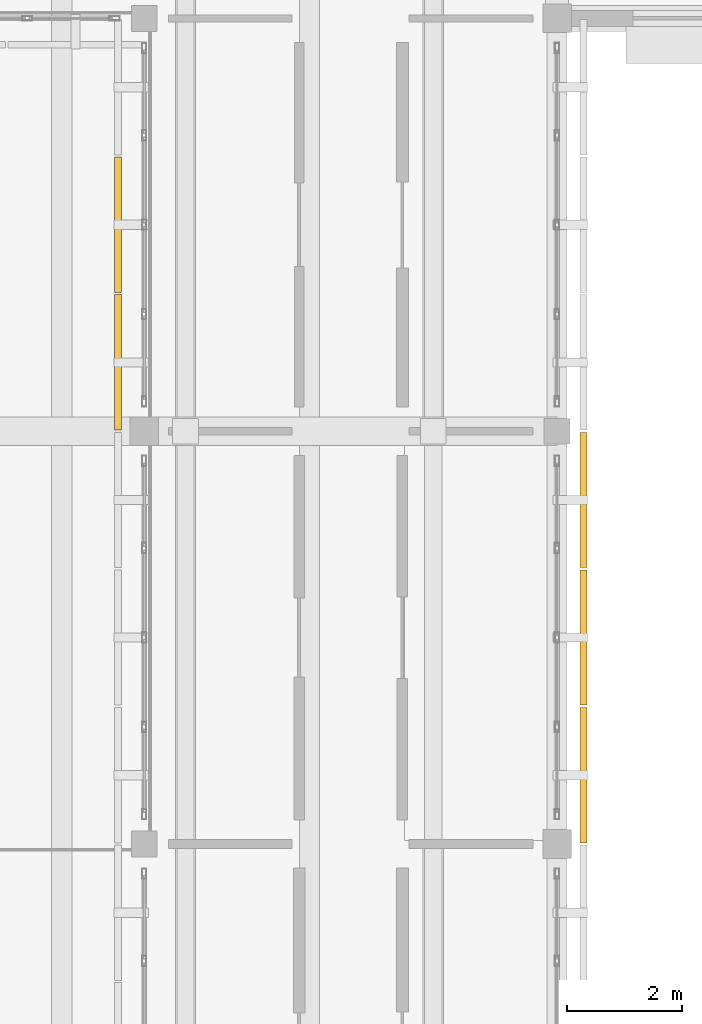
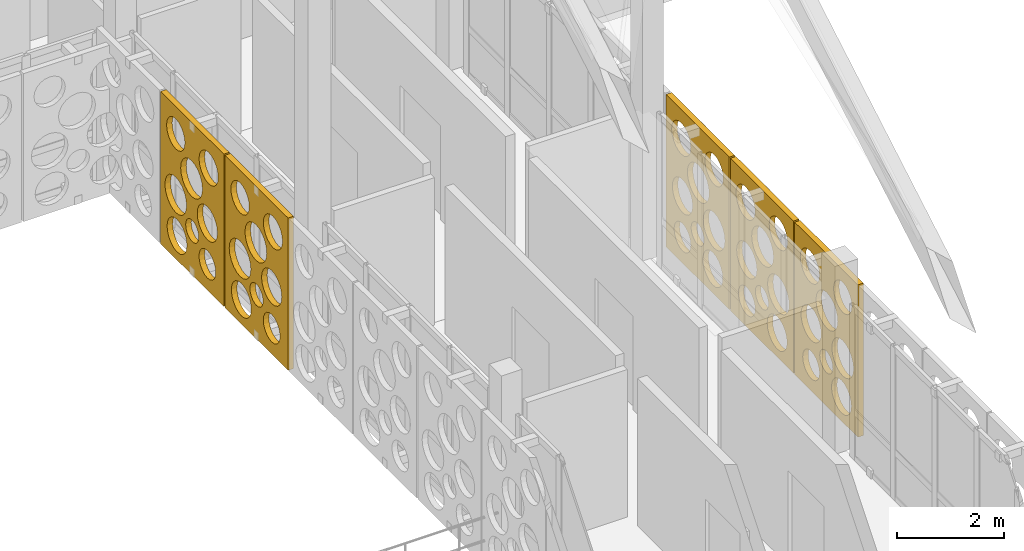
# One storey, part 162 of 171: 5 coverings.
"""IFC4 building model written with IfcOpenShell, lengths in metres."""

from ifc_helpers import new_model, si_unit, direction, frame, origin, place, context, subcontext, project, spatial, polyline, outline, extrude, material, layer, layer_set, type_object, element, save


model = new_model("IFC4")

# Units and contexts
model_context = context("Model", 3, precision=1e-05, world=origin(), true_north=direction((0.0, 1.0)))
body_context = subcontext(model_context, "Body", "Model", "MODEL_VIEW")
ifc_project = project(units=[si_unit("LENGTHUNIT", "METRE"), si_unit("AREAUNIT", "SQUARE_METRE"), si_unit("VOLUMEUNIT", "CUBIC_METRE"), si_unit("PLANEANGLEUNIT", "RADIAN"), si_unit("MASSUNIT", "GRAM", prefix="KILO")], contexts=[model_context])

# Site, building, storey
site_placement = place(None, origin())
site = spatial("IfcSite", under=ifc_project, at=site_placement, CompositionType="ELEMENT")
building_placement = place(site_placement, origin())
building = spatial("IfcBuilding", under=site, at=building_placement, Name="Aldebral Square Health Centre", CompositionType="ELEMENT")
storey_placement = place(building_placement, frame((0.0, 0.0, 4.5)))
storey = spatial("IfcBuildingStorey", under=building, at=storey_placement, Name="L01", CompositionType="ELEMENT", Elevation=4.5)

# Coverings
ifc_material = material(Name="Cream cantera perforated stone screen", Category="masonry")
ifc_layer = layer(ifc_material, 0.1201171875, Name="Cream cantera perforated stone screen", Category="masonry")
ifc_layer_set = layer_set([ifc_layer], Name="Cream cantera perforated stone screen")
covering_type = type_object("IfcCoveringType", Name="COV-SCR-120", PredefinedType="CLADDING", material=ifc_layer_set)
covering_1_placement = place(storey_placement, frame((108.4599609375, 79.219970703125, 0.0), z_axis=(0.0, 0.0, 1.0), x_axis=(0.0, 1.0, 0.0)))
element("IfcCovering", 1, at=covering_1_placement, inside=storey, type_object=covering_type, Name="L01 V1 circular-aperture stone screen L01-V1-14-11-E.1", PredefinedType="CLADDING", context=body_context, shape_type="SweptSolid", body=[
    extrude(outline(polyline([(0.0, 0.0), (2.360107421875, 0.0), (2.360107421875, 3.469970703125), (0.0, 3.469970703125), (0.0, 0.0)]), holes=[polyline([(0.98486328125, 0.55517578125), (0.966552734375, 0.4404296875), (0.913818359375, 0.3369140625), (0.831787109375, 0.2548828125), (0.728271484375, 0.2021484375), (0.613525390625, 0.18408203125), (0.498779296875, 0.2021484375), (0.3955078125, 0.2548828125), (0.313232421875, 0.3369140625), (0.260498046875, 0.4404296875), (0.242431640625, 0.55517578125), (0.260498046875, 0.669921875), (0.313232421875, 0.7734375), (0.3955078125, 0.85546875), (0.498779296875, 0.908203125), (0.613525390625, 0.926513671875), (0.728271484375, 0.908203125), (0.831787109375, 0.85546875), (0.913818359375, 0.7734375), (0.966552734375, 0.669921875), (0.98486328125, 0.55517578125)]), polyline([(2.059326171875, 0.58984375), (2.0439453125, 0.4931640625), (1.99951171875, 0.406005859375), (1.930419921875, 0.336669921875), (1.843017578125, 0.292236328125), (1.746337890625, 0.277099609375), (1.649658203125, 0.292236328125), (1.5625, 0.336669921875), (1.4931640625, 0.406005859375), (1.44873046875, 0.4931640625), (1.43359375, 0.58984375), (1.44873046875, 0.6865234375), (1.4931640625, 0.77392578125), (1.5625, 0.843017578125), (1.649658203125, 0.887451171875), (1.746337890625, 0.90283203125), (1.843017578125, 0.887451171875), (1.930419921875, 0.843017578125), (1.99951171875, 0.77392578125), (2.0439453125, 0.6865234375), (2.059326171875, 0.58984375)]), polyline([(0.970703125, 1.45751953125), (0.950927734375, 1.33251953125), (0.8935546875, 1.2197265625), (0.803955078125, 1.13037109375), (0.69140625, 1.072998046875), (0.56640625, 1.052978515625), (0.44140625, 1.072998046875), (0.328857421875, 1.13037109375), (0.2392578125, 1.2197265625), (0.181884765625, 1.33251953125), (0.162109375, 1.45751953125), (0.181884765625, 1.582275390625), (0.2392578125, 1.695068359375), (0.328857421875, 1.784423828125), (0.44140625, 1.841796875), (0.56640625, 1.86181640625), (0.69140625, 1.841796875), (0.803955078125, 1.784423828125), (0.8935546875, 1.695068359375), (0.950927734375, 1.582275390625), (0.970703125, 1.45751953125)]), polyline([(2.124267578125, 1.52685546875), (2.105712890625, 1.41015625), (2.052001953125, 1.3046875), (1.968505859375, 1.22119140625), (1.863037109375, 1.16748046875), (1.746337890625, 1.14892578125), (1.629638671875, 1.16748046875), (1.5244140625, 1.22119140625), (1.440673828125, 1.3046875), (1.38720703125, 1.41015625), (1.36865234375, 1.52685546875), (1.38720703125, 1.6435546875), (1.440673828125, 1.748779296875), (1.5244140625, 1.83251953125), (1.629638671875, 1.88623046875), (1.746337890625, 1.904541015625), (1.863037109375, 1.88623046875), (1.968505859375, 1.83251953125), (2.052001953125, 1.748779296875), (2.105712890625, 1.6435546875), (2.124267578125, 1.52685546875)]), polyline([(1.42431640625, 1.00634765625), (1.412353515625, 0.9306640625), (1.377685546875, 0.862548828125), (1.32373046875, 0.80859375), (1.255615234375, 0.77392578125), (1.179931640625, 0.761962890625), (1.1044921875, 0.77392578125), (1.036376953125, 0.80859375), (0.982177734375, 0.862548828125), (0.947509765625, 0.9306640625), (0.935546875, 1.00634765625), (0.947509765625, 1.081787109375), (0.982177734375, 1.14990234375), (1.036376953125, 1.2041015625), (1.1044921875, 1.23876953125), (1.179931640625, 1.250732421875), (1.255615234375, 1.23876953125), (1.32373046875, 1.2041015625), (1.377685546875, 1.14990234375), (1.412353515625, 1.081787109375), (1.42431640625, 1.00634765625)]), polyline([(1.563232421875, 2.18603515625), (1.54345703125, 2.060302734375), (1.485595703125, 1.947021484375), (1.3955078125, 1.85693359375), (1.2822265625, 1.799072265625), (1.156494140625, 1.779296875), (1.03076171875, 1.799072265625), (0.917236328125, 1.85693359375), (0.8271484375, 1.947021484375), (0.76953125, 2.060302734375), (0.74951171875, 2.18603515625), (0.76953125, 2.311767578125), (0.8271484375, 2.42529296875), (0.917236328125, 2.515380859375), (1.03076171875, 2.572998046875), (1.156494140625, 2.593017578125), (1.2822265625, 2.572998046875), (1.3955078125, 2.515380859375), (1.485595703125, 2.42529296875), (1.54345703125, 2.311767578125), (1.563232421875, 2.18603515625)]), polyline([(0.9091796875, 2.845458984375), (0.892333984375, 2.739501953125), (0.84375, 2.64404296875), (0.767822265625, 2.568115234375), (0.67236328125, 2.51953125), (0.56640625, 2.502685546875), (0.46044921875, 2.51953125), (0.364990234375, 2.568115234375), (0.2890625, 2.64404296875), (0.240478515625, 2.739501953125), (0.2236328125, 2.845458984375), (0.240478515625, 2.951416015625), (0.2890625, 3.046875), (0.364990234375, 3.12255859375), (0.46044921875, 3.17138671875), (0.56640625, 3.18798828125), (0.67236328125, 3.17138671875), (0.767822265625, 3.12255859375), (0.84375, 3.046875), (0.892333984375, 2.951416015625), (0.9091796875, 2.845458984375)]), polyline([(2.1513671875, 2.810791015625), (2.1337890625, 2.7001953125), (2.0830078125, 2.600341796875), (2.00390625, 2.521240234375), (1.904052734375, 2.470458984375), (1.793701171875, 2.452880859375), (1.68310546875, 2.470458984375), (1.583251953125, 2.521240234375), (1.504150390625, 2.600341796875), (1.453369140625, 2.7001953125), (1.435791015625, 2.810791015625), (1.453369140625, 2.921142578125), (1.504150390625, 3.02099609375), (1.583251953125, 3.10009765625), (1.68310546875, 3.15087890625), (1.793701171875, 3.16845703125), (1.904052734375, 3.15087890625), (2.00390625, 3.10009765625), (2.0830078125, 3.02099609375), (2.1337890625, 2.921142578125), (2.1513671875, 2.810791015625)])]), frame((0.0, 0.06005859375, 0.0), z_axis=(0.0, -1.0, 0.0), x_axis=(1.0, 0.0, 0.0)), (0.0, 0.0, 1.0), 0.1201171875),
])
covering_2_placement = place(storey_placement, frame((108.4599609375, 81.6201171875, 0.0), z_axis=(0.0, 0.0, 1.0), x_axis=(0.0, 1.0, 0.0)))
element("IfcCovering", 2, at=covering_2_placement, inside=storey, type_object=covering_type, Name="L01 V1 circular-aperture stone screen L01-V1-14-11-E.2", PredefinedType="CLADDING", context=body_context, shape_type="SweptSolid", body=[
    extrude(outline(polyline([(0.0, 0.0), (2.35986328125, 0.0), (2.35986328125, 3.469970703125), (0.0, 3.469970703125), (0.0, 0.0)]), holes=[polyline([(0.98486328125, 0.55517578125), (0.966552734375, 0.4404296875), (0.913818359375, 0.3369140625), (0.831787109375, 0.2548828125), (0.728271484375, 0.2021484375), (0.613525390625, 0.18408203125), (0.498779296875, 0.2021484375), (0.3955078125, 0.2548828125), (0.313232421875, 0.3369140625), (0.260498046875, 0.4404296875), (0.242431640625, 0.55517578125), (0.260498046875, 0.669921875), (0.313232421875, 0.7734375), (0.3955078125, 0.85546875), (0.498779296875, 0.908203125), (0.613525390625, 0.926513671875), (0.728271484375, 0.908203125), (0.831787109375, 0.85546875), (0.913818359375, 0.7734375), (0.966552734375, 0.669921875), (0.98486328125, 0.55517578125)]), polyline([(2.059326171875, 0.58984375), (2.0439453125, 0.4931640625), (1.99951171875, 0.406005859375), (1.930419921875, 0.336669921875), (1.843017578125, 0.292236328125), (1.746337890625, 0.277099609375), (1.649658203125, 0.292236328125), (1.5625, 0.336669921875), (1.4931640625, 0.406005859375), (1.44873046875, 0.4931640625), (1.43359375, 0.58984375), (1.44873046875, 0.6865234375), (1.4931640625, 0.77392578125), (1.5625, 0.843017578125), (1.649658203125, 0.887451171875), (1.746337890625, 0.90283203125), (1.843017578125, 0.887451171875), (1.930419921875, 0.843017578125), (1.99951171875, 0.77392578125), (2.0439453125, 0.6865234375), (2.059326171875, 0.58984375)]), polyline([(0.970703125, 1.45751953125), (0.950927734375, 1.33251953125), (0.8935546875, 1.2197265625), (0.803955078125, 1.13037109375), (0.69140625, 1.072998046875), (0.56640625, 1.052978515625), (0.44140625, 1.072998046875), (0.328857421875, 1.13037109375), (0.2392578125, 1.2197265625), (0.181884765625, 1.33251953125), (0.162109375, 1.45751953125), (0.181884765625, 1.582275390625), (0.2392578125, 1.695068359375), (0.328857421875, 1.784423828125), (0.44140625, 1.841796875), (0.56640625, 1.86181640625), (0.69140625, 1.841796875), (0.803955078125, 1.784423828125), (0.8935546875, 1.695068359375), (0.950927734375, 1.582275390625), (0.970703125, 1.45751953125)]), polyline([(2.124267578125, 1.52685546875), (2.105712890625, 1.41015625), (2.052001953125, 1.3046875), (1.968505859375, 1.22119140625), (1.863037109375, 1.16748046875), (1.746337890625, 1.14892578125), (1.629638671875, 1.16748046875), (1.5244140625, 1.22119140625), (1.440673828125, 1.3046875), (1.38720703125, 1.41015625), (1.36865234375, 1.52685546875), (1.38720703125, 1.6435546875), (1.440673828125, 1.748779296875), (1.5244140625, 1.83251953125), (1.629638671875, 1.88623046875), (1.746337890625, 1.904541015625), (1.863037109375, 1.88623046875), (1.968505859375, 1.83251953125), (2.052001953125, 1.748779296875), (2.105712890625, 1.6435546875), (2.124267578125, 1.52685546875)]), polyline([(1.42431640625, 1.00634765625), (1.412353515625, 0.9306640625), (1.377685546875, 0.862548828125), (1.32373046875, 0.80859375), (1.255615234375, 0.77392578125), (1.179931640625, 0.761962890625), (1.1044921875, 0.77392578125), (1.036376953125, 0.80859375), (0.982177734375, 0.862548828125), (0.947509765625, 0.9306640625), (0.935546875, 1.00634765625), (0.947509765625, 1.081787109375), (0.982177734375, 1.14990234375), (1.036376953125, 1.2041015625), (1.1044921875, 1.23876953125), (1.179931640625, 1.250732421875), (1.255615234375, 1.23876953125), (1.32373046875, 1.2041015625), (1.377685546875, 1.14990234375), (1.412353515625, 1.081787109375), (1.42431640625, 1.00634765625)]), polyline([(1.563232421875, 2.18603515625), (1.54345703125, 2.060302734375), (1.485595703125, 1.947021484375), (1.3955078125, 1.85693359375), (1.2822265625, 1.799072265625), (1.156494140625, 1.779296875), (1.03076171875, 1.799072265625), (0.917236328125, 1.85693359375), (0.8271484375, 1.947021484375), (0.76953125, 2.060302734375), (0.74951171875, 2.18603515625), (0.76953125, 2.311767578125), (0.8271484375, 2.42529296875), (0.917236328125, 2.515380859375), (1.03076171875, 2.572998046875), (1.156494140625, 2.593017578125), (1.2822265625, 2.572998046875), (1.3955078125, 2.515380859375), (1.485595703125, 2.42529296875), (1.54345703125, 2.311767578125), (1.563232421875, 2.18603515625)]), polyline([(0.9091796875, 2.845458984375), (0.892333984375, 2.739501953125), (0.84375, 2.64404296875), (0.767822265625, 2.568115234375), (0.67236328125, 2.51953125), (0.56640625, 2.502685546875), (0.46044921875, 2.51953125), (0.364990234375, 2.568115234375), (0.2890625, 2.64404296875), (0.240478515625, 2.739501953125), (0.2236328125, 2.845458984375), (0.240478515625, 2.951416015625), (0.2890625, 3.046875), (0.364990234375, 3.12255859375), (0.46044921875, 3.17138671875), (0.56640625, 3.18798828125), (0.67236328125, 3.17138671875), (0.767822265625, 3.12255859375), (0.84375, 3.046875), (0.892333984375, 2.951416015625), (0.9091796875, 2.845458984375)]), polyline([(2.1513671875, 2.810791015625), (2.1337890625, 2.7001953125), (2.0830078125, 2.600341796875), (2.00390625, 2.521240234375), (1.904052734375, 2.470458984375), (1.793701171875, 2.452880859375), (1.68310546875, 2.470458984375), (1.583251953125, 2.521240234375), (1.504150390625, 2.600341796875), (1.453369140625, 2.7001953125), (1.435791015625, 2.810791015625), (1.453369140625, 2.921142578125), (1.504150390625, 3.02099609375), (1.583251953125, 3.10009765625), (1.68310546875, 3.15087890625), (1.793701171875, 3.16845703125), (1.904052734375, 3.15087890625), (2.00390625, 3.10009765625), (2.0830078125, 3.02099609375), (2.1337890625, 2.921142578125), (2.1513671875, 2.810791015625)])]), frame((0.0, 0.06005859375, 0.0), z_axis=(0.0, -1.0, 0.0), x_axis=(1.0, 0.0, 0.0)), (0.0, 0.0, 1.0), 0.1201171875),
])
covering_3_placement = place(storey_placement, frame((108.4599609375, 84.02001953125, 0.0), z_axis=(0.0, 0.0, 1.0), x_axis=(0.0, 1.0, 0.0)))
element("IfcCovering", 3, at=covering_3_placement, inside=storey, type_object=covering_type, Name="L01 V1 circular-aperture stone screen L01-V1-14-11-E.3", PredefinedType="CLADDING", context=body_context, shape_type="SweptSolid", body=[
    extrude(outline(polyline([(0.0, 0.0), (2.35986328125, 0.0), (2.35986328125, 3.469970703125), (0.0, 3.469970703125), (0.0, 0.0)]), holes=[polyline([(0.98486328125, 0.55517578125), (0.966552734375, 0.4404296875), (0.913818359375, 0.3369140625), (0.831787109375, 0.2548828125), (0.728271484375, 0.2021484375), (0.613525390625, 0.18408203125), (0.498779296875, 0.2021484375), (0.3955078125, 0.2548828125), (0.313232421875, 0.3369140625), (0.260498046875, 0.4404296875), (0.242431640625, 0.55517578125), (0.260498046875, 0.669921875), (0.313232421875, 0.7734375), (0.3955078125, 0.85546875), (0.498779296875, 0.908203125), (0.613525390625, 0.926513671875), (0.728271484375, 0.908203125), (0.831787109375, 0.85546875), (0.913818359375, 0.7734375), (0.966552734375, 0.669921875), (0.98486328125, 0.55517578125)]), polyline([(2.059326171875, 0.58984375), (2.0439453125, 0.4931640625), (1.99951171875, 0.406005859375), (1.930419921875, 0.336669921875), (1.843017578125, 0.292236328125), (1.746337890625, 0.277099609375), (1.649658203125, 0.292236328125), (1.5625, 0.336669921875), (1.4931640625, 0.406005859375), (1.44873046875, 0.4931640625), (1.43359375, 0.58984375), (1.44873046875, 0.6865234375), (1.4931640625, 0.77392578125), (1.5625, 0.843017578125), (1.649658203125, 0.887451171875), (1.746337890625, 0.90283203125), (1.843017578125, 0.887451171875), (1.930419921875, 0.843017578125), (1.99951171875, 0.77392578125), (2.0439453125, 0.6865234375), (2.059326171875, 0.58984375)]), polyline([(0.970703125, 1.45751953125), (0.950927734375, 1.33251953125), (0.8935546875, 1.2197265625), (0.803955078125, 1.13037109375), (0.69140625, 1.072998046875), (0.56640625, 1.052978515625), (0.44140625, 1.072998046875), (0.328857421875, 1.13037109375), (0.2392578125, 1.2197265625), (0.181884765625, 1.33251953125), (0.162109375, 1.45751953125), (0.181884765625, 1.582275390625), (0.2392578125, 1.695068359375), (0.328857421875, 1.784423828125), (0.44140625, 1.841796875), (0.56640625, 1.86181640625), (0.69140625, 1.841796875), (0.803955078125, 1.784423828125), (0.8935546875, 1.695068359375), (0.950927734375, 1.582275390625), (0.970703125, 1.45751953125)]), polyline([(2.124267578125, 1.52685546875), (2.105712890625, 1.41015625), (2.052001953125, 1.3046875), (1.968505859375, 1.22119140625), (1.863037109375, 1.16748046875), (1.746337890625, 1.14892578125), (1.629638671875, 1.16748046875), (1.5244140625, 1.22119140625), (1.440673828125, 1.3046875), (1.38720703125, 1.41015625), (1.36865234375, 1.52685546875), (1.38720703125, 1.6435546875), (1.440673828125, 1.748779296875), (1.5244140625, 1.83251953125), (1.629638671875, 1.88623046875), (1.746337890625, 1.904541015625), (1.863037109375, 1.88623046875), (1.968505859375, 1.83251953125), (2.052001953125, 1.748779296875), (2.105712890625, 1.6435546875), (2.124267578125, 1.52685546875)]), polyline([(1.42431640625, 1.00634765625), (1.412353515625, 0.9306640625), (1.377685546875, 0.862548828125), (1.32373046875, 0.80859375), (1.255615234375, 0.77392578125), (1.179931640625, 0.761962890625), (1.1044921875, 0.77392578125), (1.036376953125, 0.80859375), (0.982177734375, 0.862548828125), (0.947509765625, 0.9306640625), (0.935546875, 1.00634765625), (0.947509765625, 1.081787109375), (0.982177734375, 1.14990234375), (1.036376953125, 1.2041015625), (1.1044921875, 1.23876953125), (1.179931640625, 1.250732421875), (1.255615234375, 1.23876953125), (1.32373046875, 1.2041015625), (1.377685546875, 1.14990234375), (1.412353515625, 1.081787109375), (1.42431640625, 1.00634765625)]), polyline([(1.563232421875, 2.18603515625), (1.54345703125, 2.060302734375), (1.485595703125, 1.947021484375), (1.3955078125, 1.85693359375), (1.2822265625, 1.799072265625), (1.156494140625, 1.779296875), (1.03076171875, 1.799072265625), (0.917236328125, 1.85693359375), (0.8271484375, 1.947021484375), (0.76953125, 2.060302734375), (0.74951171875, 2.18603515625), (0.76953125, 2.311767578125), (0.8271484375, 2.42529296875), (0.917236328125, 2.515380859375), (1.03076171875, 2.572998046875), (1.156494140625, 2.593017578125), (1.2822265625, 2.572998046875), (1.3955078125, 2.515380859375), (1.485595703125, 2.42529296875), (1.54345703125, 2.311767578125), (1.563232421875, 2.18603515625)]), polyline([(0.9091796875, 2.845458984375), (0.892333984375, 2.739501953125), (0.84375, 2.64404296875), (0.767822265625, 2.568115234375), (0.67236328125, 2.51953125), (0.56640625, 2.502685546875), (0.46044921875, 2.51953125), (0.364990234375, 2.568115234375), (0.2890625, 2.64404296875), (0.240478515625, 2.739501953125), (0.2236328125, 2.845458984375), (0.240478515625, 2.951416015625), (0.2890625, 3.046875), (0.364990234375, 3.12255859375), (0.46044921875, 3.17138671875), (0.56640625, 3.18798828125), (0.67236328125, 3.17138671875), (0.767822265625, 3.12255859375), (0.84375, 3.046875), (0.892333984375, 2.951416015625), (0.9091796875, 2.845458984375)]), polyline([(2.1513671875, 2.810791015625), (2.1337890625, 2.7001953125), (2.0830078125, 2.600341796875), (2.00390625, 2.521240234375), (1.904052734375, 2.470458984375), (1.793701171875, 2.452880859375), (1.68310546875, 2.470458984375), (1.583251953125, 2.521240234375), (1.504150390625, 2.600341796875), (1.453369140625, 2.7001953125), (1.435791015625, 2.810791015625), (1.453369140625, 2.921142578125), (1.504150390625, 3.02099609375), (1.583251953125, 3.10009765625), (1.68310546875, 3.15087890625), (1.793701171875, 3.16845703125), (1.904052734375, 3.15087890625), (2.00390625, 3.10009765625), (2.0830078125, 3.02099609375), (2.1337890625, 2.921142578125), (2.1513671875, 2.810791015625)])]), frame((0.0, 0.06005859375, 0.0), z_axis=(0.0, -1.0, 0.0), x_axis=(1.0, 0.0, 0.0)), (0.0, 0.0, 1.0), 0.1201171875),
])
covering_4_placement = place(storey_placement, frame((100.340087890625, 91.179931640625, 0.0), z_axis=(0.0, 0.0, 1.0), x_axis=(0.0, -1.0, 0.0)))
element("IfcCovering", 4, at=covering_4_placement, inside=storey, type_object=covering_type, Name="L01 V1 circular-aperture stone screen L01-V1-14-12-W.2", PredefinedType="CLADDING", context=body_context, shape_type="SweptSolid", body=[
    extrude(outline(polyline([(0.0, 0.0), (2.35986328125, 0.0), (2.35986328125, 3.469970703125), (0.0, 3.469970703125), (0.0, 0.0)]), holes=[polyline([(0.98486328125, 0.55517578125), (0.966552734375, 0.4404296875), (0.913818359375, 0.3369140625), (0.831787109375, 0.2548828125), (0.728271484375, 0.2021484375), (0.613525390625, 0.18408203125), (0.498779296875, 0.2021484375), (0.3955078125, 0.2548828125), (0.313232421875, 0.3369140625), (0.260498046875, 0.4404296875), (0.242431640625, 0.55517578125), (0.260498046875, 0.669921875), (0.313232421875, 0.7734375), (0.3955078125, 0.85546875), (0.498779296875, 0.908203125), (0.613525390625, 0.926513671875), (0.728271484375, 0.908203125), (0.831787109375, 0.85546875), (0.913818359375, 0.7734375), (0.966552734375, 0.669921875), (0.98486328125, 0.55517578125)]), polyline([(2.059326171875, 0.58984375), (2.0439453125, 0.4931640625), (1.99951171875, 0.406005859375), (1.930419921875, 0.336669921875), (1.843017578125, 0.292236328125), (1.746337890625, 0.277099609375), (1.649658203125, 0.292236328125), (1.5625, 0.336669921875), (1.4931640625, 0.406005859375), (1.44873046875, 0.4931640625), (1.43359375, 0.58984375), (1.44873046875, 0.6865234375), (1.4931640625, 0.77392578125), (1.5625, 0.843017578125), (1.649658203125, 0.887451171875), (1.746337890625, 0.90283203125), (1.843017578125, 0.887451171875), (1.930419921875, 0.843017578125), (1.99951171875, 0.77392578125), (2.0439453125, 0.6865234375), (2.059326171875, 0.58984375)]), polyline([(0.970703125, 1.45751953125), (0.950927734375, 1.33251953125), (0.8935546875, 1.2197265625), (0.803955078125, 1.13037109375), (0.69140625, 1.072998046875), (0.56640625, 1.052978515625), (0.44140625, 1.072998046875), (0.328857421875, 1.13037109375), (0.2392578125, 1.2197265625), (0.181884765625, 1.33251953125), (0.162109375, 1.45751953125), (0.181884765625, 1.582275390625), (0.2392578125, 1.695068359375), (0.328857421875, 1.784423828125), (0.44140625, 1.841796875), (0.56640625, 1.86181640625), (0.69140625, 1.841796875), (0.803955078125, 1.784423828125), (0.8935546875, 1.695068359375), (0.950927734375, 1.582275390625), (0.970703125, 1.45751953125)]), polyline([(2.124267578125, 1.52685546875), (2.105712890625, 1.41015625), (2.052001953125, 1.3046875), (1.968505859375, 1.22119140625), (1.863037109375, 1.16748046875), (1.746337890625, 1.14892578125), (1.629638671875, 1.16748046875), (1.5244140625, 1.22119140625), (1.440673828125, 1.3046875), (1.38720703125, 1.41015625), (1.36865234375, 1.52685546875), (1.38720703125, 1.6435546875), (1.440673828125, 1.748779296875), (1.5244140625, 1.83251953125), (1.629638671875, 1.88623046875), (1.746337890625, 1.904541015625), (1.863037109375, 1.88623046875), (1.968505859375, 1.83251953125), (2.052001953125, 1.748779296875), (2.105712890625, 1.6435546875), (2.124267578125, 1.52685546875)]), polyline([(1.42431640625, 1.00634765625), (1.412353515625, 0.9306640625), (1.377685546875, 0.862548828125), (1.32373046875, 0.80859375), (1.255615234375, 0.77392578125), (1.179931640625, 0.761962890625), (1.1044921875, 0.77392578125), (1.036376953125, 0.80859375), (0.982177734375, 0.862548828125), (0.947509765625, 0.9306640625), (0.935546875, 1.00634765625), (0.947509765625, 1.081787109375), (0.982177734375, 1.14990234375), (1.036376953125, 1.2041015625), (1.1044921875, 1.23876953125), (1.179931640625, 1.250732421875), (1.255615234375, 1.23876953125), (1.32373046875, 1.2041015625), (1.377685546875, 1.14990234375), (1.412353515625, 1.081787109375), (1.42431640625, 1.00634765625)]), polyline([(1.563232421875, 2.18603515625), (1.54345703125, 2.060302734375), (1.485595703125, 1.947021484375), (1.3955078125, 1.85693359375), (1.2822265625, 1.799072265625), (1.156494140625, 1.779296875), (1.03076171875, 1.799072265625), (0.917236328125, 1.85693359375), (0.8271484375, 1.947021484375), (0.76953125, 2.060302734375), (0.74951171875, 2.18603515625), (0.76953125, 2.311767578125), (0.8271484375, 2.42529296875), (0.917236328125, 2.515380859375), (1.03076171875, 2.572998046875), (1.156494140625, 2.593017578125), (1.2822265625, 2.572998046875), (1.3955078125, 2.515380859375), (1.485595703125, 2.42529296875), (1.54345703125, 2.311767578125), (1.563232421875, 2.18603515625)]), polyline([(0.9091796875, 2.845458984375), (0.892333984375, 2.739501953125), (0.84375, 2.64404296875), (0.767822265625, 2.568115234375), (0.67236328125, 2.51953125), (0.56640625, 2.502685546875), (0.46044921875, 2.51953125), (0.364990234375, 2.568115234375), (0.2890625, 2.64404296875), (0.240478515625, 2.739501953125), (0.2236328125, 2.845458984375), (0.240478515625, 2.951416015625), (0.2890625, 3.046875), (0.364990234375, 3.12255859375), (0.46044921875, 3.17138671875), (0.56640625, 3.18798828125), (0.67236328125, 3.17138671875), (0.767822265625, 3.12255859375), (0.84375, 3.046875), (0.892333984375, 2.951416015625), (0.9091796875, 2.845458984375)]), polyline([(2.1513671875, 2.810791015625), (2.1337890625, 2.7001953125), (2.0830078125, 2.600341796875), (2.00390625, 2.521240234375), (1.904052734375, 2.470458984375), (1.793701171875, 2.452880859375), (1.68310546875, 2.470458984375), (1.583251953125, 2.521240234375), (1.504150390625, 2.600341796875), (1.453369140625, 2.7001953125), (1.435791015625, 2.810791015625), (1.453369140625, 2.921142578125), (1.504150390625, 3.02099609375), (1.583251953125, 3.10009765625), (1.68310546875, 3.15087890625), (1.793701171875, 3.16845703125), (1.904052734375, 3.15087890625), (2.00390625, 3.10009765625), (2.0830078125, 3.02099609375), (2.1337890625, 2.921142578125), (2.1513671875, 2.810791015625)])]), frame((0.0, 0.06005859375, 0.0), z_axis=(0.0, -1.0, 0.0), x_axis=(1.0, 0.0, 0.0)), (0.0, 0.0, 1.0), 0.1201171875),
])
covering_5_placement = place(storey_placement, frame((100.340087890625, 88.780029296875, 0.0), z_axis=(0.0, 0.0, 1.0), x_axis=(0.0, -1.0, 0.0)))
element("IfcCovering", 5, at=covering_5_placement, inside=storey, type_object=covering_type, Name="L01 V1 circular-aperture stone screen L01-V1-14-12-W.3", PredefinedType="CLADDING", context=body_context, shape_type="SweptSolid", body=[
    extrude(outline(polyline([(0.0, 0.0), (2.360107421875, 0.0), (2.360107421875, 3.469970703125), (0.0, 3.469970703125), (0.0, 0.0)]), holes=[polyline([(0.98486328125, 0.55517578125), (0.966552734375, 0.4404296875), (0.913818359375, 0.3369140625), (0.831787109375, 0.2548828125), (0.728271484375, 0.2021484375), (0.613525390625, 0.18408203125), (0.498779296875, 0.2021484375), (0.3955078125, 0.2548828125), (0.313232421875, 0.3369140625), (0.260498046875, 0.4404296875), (0.242431640625, 0.55517578125), (0.260498046875, 0.669921875), (0.313232421875, 0.7734375), (0.3955078125, 0.85546875), (0.498779296875, 0.908203125), (0.613525390625, 0.926513671875), (0.728271484375, 0.908203125), (0.831787109375, 0.85546875), (0.913818359375, 0.7734375), (0.966552734375, 0.669921875), (0.98486328125, 0.55517578125)]), polyline([(2.059326171875, 0.58984375), (2.0439453125, 0.4931640625), (1.99951171875, 0.406005859375), (1.930419921875, 0.336669921875), (1.843017578125, 0.292236328125), (1.746337890625, 0.277099609375), (1.649658203125, 0.292236328125), (1.5625, 0.336669921875), (1.4931640625, 0.406005859375), (1.44873046875, 0.4931640625), (1.43359375, 0.58984375), (1.44873046875, 0.6865234375), (1.4931640625, 0.77392578125), (1.5625, 0.843017578125), (1.649658203125, 0.887451171875), (1.746337890625, 0.90283203125), (1.843017578125, 0.887451171875), (1.930419921875, 0.843017578125), (1.99951171875, 0.77392578125), (2.0439453125, 0.6865234375), (2.059326171875, 0.58984375)]), polyline([(0.970703125, 1.45751953125), (0.950927734375, 1.33251953125), (0.8935546875, 1.2197265625), (0.803955078125, 1.13037109375), (0.69140625, 1.072998046875), (0.56640625, 1.052978515625), (0.44140625, 1.072998046875), (0.328857421875, 1.13037109375), (0.2392578125, 1.2197265625), (0.181884765625, 1.33251953125), (0.162109375, 1.45751953125), (0.181884765625, 1.582275390625), (0.2392578125, 1.695068359375), (0.328857421875, 1.784423828125), (0.44140625, 1.841796875), (0.56640625, 1.86181640625), (0.69140625, 1.841796875), (0.803955078125, 1.784423828125), (0.8935546875, 1.695068359375), (0.950927734375, 1.582275390625), (0.970703125, 1.45751953125)]), polyline([(2.124267578125, 1.52685546875), (2.105712890625, 1.41015625), (2.052001953125, 1.3046875), (1.968505859375, 1.22119140625), (1.863037109375, 1.16748046875), (1.746337890625, 1.14892578125), (1.629638671875, 1.16748046875), (1.5244140625, 1.22119140625), (1.440673828125, 1.3046875), (1.38720703125, 1.41015625), (1.36865234375, 1.52685546875), (1.38720703125, 1.6435546875), (1.440673828125, 1.748779296875), (1.5244140625, 1.83251953125), (1.629638671875, 1.88623046875), (1.746337890625, 1.904541015625), (1.863037109375, 1.88623046875), (1.968505859375, 1.83251953125), (2.052001953125, 1.748779296875), (2.105712890625, 1.6435546875), (2.124267578125, 1.52685546875)]), polyline([(1.42431640625, 1.00634765625), (1.412353515625, 0.9306640625), (1.377685546875, 0.862548828125), (1.32373046875, 0.80859375), (1.255615234375, 0.77392578125), (1.179931640625, 0.761962890625), (1.1044921875, 0.77392578125), (1.036376953125, 0.80859375), (0.982177734375, 0.862548828125), (0.947509765625, 0.9306640625), (0.935546875, 1.00634765625), (0.947509765625, 1.081787109375), (0.982177734375, 1.14990234375), (1.036376953125, 1.2041015625), (1.1044921875, 1.23876953125), (1.179931640625, 1.250732421875), (1.255615234375, 1.23876953125), (1.32373046875, 1.2041015625), (1.377685546875, 1.14990234375), (1.412353515625, 1.081787109375), (1.42431640625, 1.00634765625)]), polyline([(1.563232421875, 2.18603515625), (1.54345703125, 2.060302734375), (1.485595703125, 1.947021484375), (1.3955078125, 1.85693359375), (1.2822265625, 1.799072265625), (1.156494140625, 1.779296875), (1.03076171875, 1.799072265625), (0.917236328125, 1.85693359375), (0.8271484375, 1.947021484375), (0.76953125, 2.060302734375), (0.74951171875, 2.18603515625), (0.76953125, 2.311767578125), (0.8271484375, 2.42529296875), (0.917236328125, 2.515380859375), (1.03076171875, 2.572998046875), (1.156494140625, 2.593017578125), (1.2822265625, 2.572998046875), (1.3955078125, 2.515380859375), (1.485595703125, 2.42529296875), (1.54345703125, 2.311767578125), (1.563232421875, 2.18603515625)]), polyline([(0.9091796875, 2.845458984375), (0.892333984375, 2.739501953125), (0.84375, 2.64404296875), (0.767822265625, 2.568115234375), (0.67236328125, 2.51953125), (0.56640625, 2.502685546875), (0.46044921875, 2.51953125), (0.364990234375, 2.568115234375), (0.2890625, 2.64404296875), (0.240478515625, 2.739501953125), (0.2236328125, 2.845458984375), (0.240478515625, 2.951416015625), (0.2890625, 3.046875), (0.364990234375, 3.12255859375), (0.46044921875, 3.17138671875), (0.56640625, 3.18798828125), (0.67236328125, 3.17138671875), (0.767822265625, 3.12255859375), (0.84375, 3.046875), (0.892333984375, 2.951416015625), (0.9091796875, 2.845458984375)]), polyline([(2.1513671875, 2.810791015625), (2.1337890625, 2.7001953125), (2.0830078125, 2.600341796875), (2.00390625, 2.521240234375), (1.904052734375, 2.470458984375), (1.793701171875, 2.452880859375), (1.68310546875, 2.470458984375), (1.583251953125, 2.521240234375), (1.504150390625, 2.600341796875), (1.453369140625, 2.7001953125), (1.435791015625, 2.810791015625), (1.453369140625, 2.921142578125), (1.504150390625, 3.02099609375), (1.583251953125, 3.10009765625), (1.68310546875, 3.15087890625), (1.793701171875, 3.16845703125), (1.904052734375, 3.15087890625), (2.00390625, 3.10009765625), (2.0830078125, 3.02099609375), (2.1337890625, 2.921142578125), (2.1513671875, 2.810791015625)])]), frame((0.0, 0.06005859375, 0.0), z_axis=(0.0, -1.0, 0.0), x_axis=(1.0, 0.0, 0.0)), (0.0, 0.0, 1.0), 0.1201171875),
])

save(model, "model.ifc")
